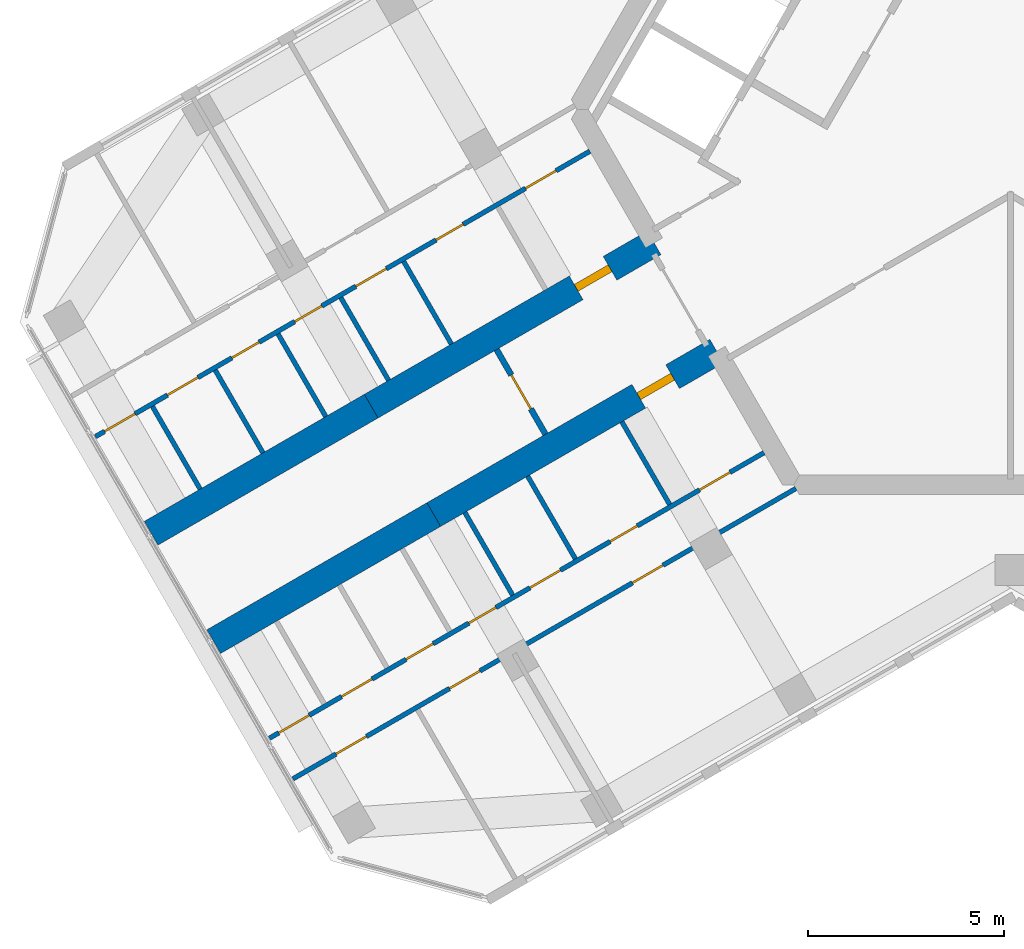
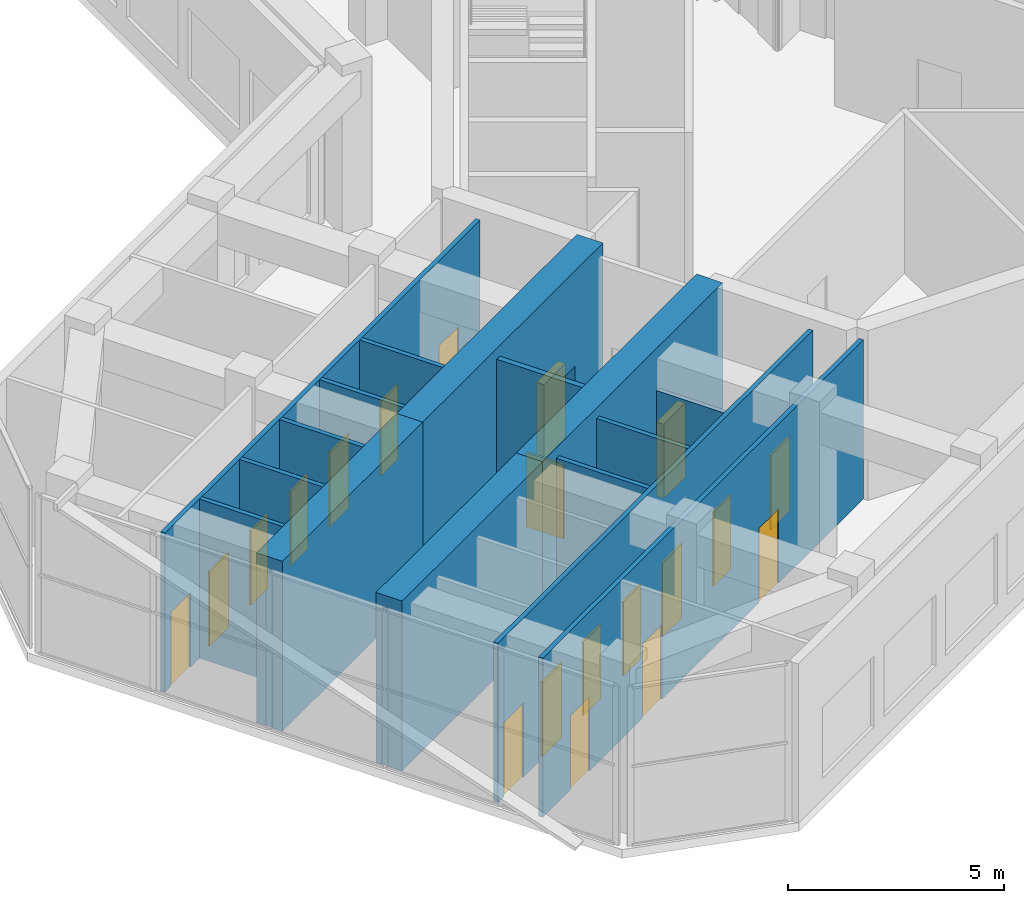
# One storey, part 7 of 14: 20 doors, 16 walls, 20 openings.
"""IFC4 building model written with IfcOpenShell, lengths in metres."""

from ifc_helpers import new_model, si_unit, direction, frame, frame_2d, origin, place, context, subcontext, project, spatial, rectangle, extrude, material, layer, layer_set, type_object, element, fill, save


model = new_model("IFC4")

# Units and contexts
model_context = context("Model", 3, precision=1e-05, world=origin(), true_north=direction((0.0, 1.0)))
body_context = subcontext(model_context, "Body", "Model", "MODEL_VIEW")
ifc_project = project(units=[si_unit("LENGTHUNIT", "METRE"), si_unit("AREAUNIT", "SQUARE_METRE"), si_unit("VOLUMEUNIT", "CUBIC_METRE"), si_unit("PLANEANGLEUNIT", "RADIAN"), si_unit("MASSUNIT", "GRAM", prefix="KILO")], contexts=[model_context])

# Site, building, storey
site_placement = place(None, origin())
site = spatial("IfcSite", under=ifc_project, at=site_placement, CompositionType="ELEMENT")
building_placement = place(site_placement, origin())
building = spatial("IfcBuilding", under=site, at=building_placement, Name="Kosmar Iwan School Tower", CompositionType="ELEMENT")
storey_placement = place(building_placement, frame((0.0, 0.0, 296.199951171875)))
storey = spatial("IfcBuildingStorey", under=building, at=storey_placement, Name="L75", CompositionType="ELEMENT", Elevation=296.199951171875)

# Wall, opening, door
ifc_material_1 = material(Name="Concrete C50/60", Category="concrete")
ifc_layer_1 = layer(ifc_material_1, 0.699951171875)
ifc_layer_set_1 = layer_set([ifc_layer_1], Name="Corridor buttress wall 700")
wall_type_1 = type_object("IfcWallType", Name="Corridor buttress wall 700", PredefinedType="SHEAR", material=ifc_layer_set_1)
wall_1_placement = place(storey_placement, frame((-7.513916015625, -6.185546875, 0.0), z_axis=(0.0, 0.0, 1.0), x_axis=(-0.866019549707, -0.500010139422, 0.0)))
wall_1 = element("IfcWall", 1, at=wall_1_placement, inside=storey, type_object=wall_type_1, Name="Corridor wall BL", PredefinedType="SHEAR", context=body_context, shape_type="SweptSolid", body=[
    extrude(rectangle(XDim=8.349853515625, YDim=0.699951171875, at=frame_2d((4.1748046875, 0.0))), origin(), (0.0, 0.0, 1.0), 4.800048828125),
])
opening_1_placement = place(wall_1_placement, frame((1.300048828125, 0.0, 0.0)))
opening_1 = element("IfcOpeningElement", 2, at=opening_1_placement, cuts=wall_1, Name="Opening D1", PredefinedType="OPENING", context=body_context, shape_type="SweptSolid", body=[
    extrude(rectangle(XDim=1.0, YDim=2.10009765625, at=frame_2d((0.5, 1.050048828125))), frame((0.0, 0.362060546875, 0.0), z_axis=(0.0, -1.0, 0.0), x_axis=(1.0, 0.0, 0.0)), (0.0, 0.0, 1.0), 0.723876953125),
])
ifc_material_2 = material(Name="Timber fire door in steel frame", Category="steel")
door_type_1 = type_object("IfcDoorType", Name="Flat entrance door 1000x2100", OperationType="SINGLE_SWING_LEFT", PredefinedType="DOOR", material=ifc_material_2)
door_1_placement = place(opening_1_placement, origin())
door_1 = element("IfcDoor", 3, at=door_1_placement, inside=storey, type_object=door_type_1, Name="Flat L75-BL1 entrance door", OperationType="SINGLE_SWING_RIGHT", OverallHeight=2.10009765625, OverallWidth=1.0, PredefinedType="DOOR", context=body_context, shape_type="SweptSolid", body=[
    extrude(rectangle(XDim=1.0, YDim=2.10009765625, at=frame_2d((0.5, 1.050048828125))), frame((0.0, 0.10009765625, 0.0), z_axis=(0.0, -1.0, 0.0), x_axis=(1.0, 0.0, 0.0)), (0.0, 0.0, 1.0), 0.199951171875),
])
fill(opening_1, door_1)

# Wall
wall_2_placement = place(storey_placement, frame((-14.7451171875, -10.360595703125, 0.0), z_axis=(0.0, 0.0, 1.0), x_axis=(-0.866027848477, -0.499995765644, 0.0)))
element("IfcWall", 4, at=wall_2_placement, inside=storey, type_object=wall_type_1, Name="Corridor wall BL bay 2", PredefinedType="SHEAR", context=body_context, shape_type="SweptSolid", body=[
    extrude(rectangle(XDim=6.4951171875, YDim=0.699951171875, at=frame_2d((3.24755859375, 0.0))), origin(), (0.0, 0.0, 1.0), 4.800048828125),
])

# Wall, opening, door
wall_3_placement = place(storey_placement, frame((-9.11376953125, -3.414306640625, 0.0), z_axis=(0.0, 0.0, 1.0), x_axis=(-0.866026859388, -0.499997478812, 0.0)))
wall_3 = element("IfcWall", 5, at=wall_3_placement, inside=storey, type_object=wall_type_1, Name="Corridor wall BR", PredefinedType="SHEAR", context=body_context, shape_type="SweptSolid", body=[
    extrude(rectangle(XDim=8.35009765625, YDim=0.699951171875, at=frame_2d((4.175048828125, 0.0))), origin(), (0.0, 0.0, 1.0), 4.800048828125),
])
opening_2_placement = place(wall_3_placement, frame((1.300048828125, 0.0, 0.0)))
opening_2 = element("IfcOpeningElement", 6, at=opening_2_placement, cuts=wall_3, Name="Opening D1", PredefinedType="OPENING", context=body_context, shape_type="SweptSolid", body=[
    extrude(rectangle(XDim=1.0, YDim=2.10009765625, at=frame_2d((0.5, 1.050048828125))), frame((0.0, 0.362060546875, 0.0), z_axis=(0.0, -1.0, 0.0), x_axis=(1.0, 0.0, 0.0)), (0.0, 0.0, 1.0), 0.723876953125),
])
door_2_placement = place(opening_2_placement, origin())
door_2 = element("IfcDoor", 7, at=door_2_placement, inside=storey, type_object=door_type_1, Name="Flat L75-BR1 entrance door", OperationType="SINGLE_SWING_LEFT", OverallHeight=2.10009765625, OverallWidth=1.0, PredefinedType="DOOR", context=body_context, shape_type="SweptSolid", body=[
    extrude(rectangle(XDim=1.0, YDim=2.10009765625, at=frame_2d((0.5, 1.050048828125))), frame((0.0, 0.10009765625, 0.0), z_axis=(0.0, -1.0, 0.0), x_axis=(1.0, 0.0, 0.0)), (0.0, 0.0, 1.0), 0.199951171875),
])
fill(opening_2, door_2)

# Wall
wall_4_placement = place(storey_placement, frame((-16.34521484375, -7.58935546875, 0.0), z_axis=(0.0, 0.0, 1.0), x_axis=(-0.866018451174, -0.500012042081, 0.0)))
element("IfcWall", 8, at=wall_4_placement, inside=storey, type_object=wall_type_1, Name="Corridor wall BR bay 2", PredefinedType="SHEAR", context=body_context, shape_type="SweptSolid", body=[
    extrude(rectangle(XDim=6.494873046875, YDim=0.699951171875, at=frame_2d((3.24755859375, 0.0))), origin(), (0.0, 0.0, 1.0), 4.800048828125),
])

# Wall, opening, door
ifc_material_3 = material(Name="Gypsum board on steel studs, fire-rated", Category="steel")
ifc_layer_2 = layer(ifc_material_3, 0.14990234375)
ifc_layer_set_2 = layer_set([ifc_layer_2], Name="Corridor end wall 150")
wall_type_2 = type_object("IfcWallType", Name="Corridor end wall 150", PredefinedType="PARTITIONING", material=ifc_layer_set_2)
wall_5_placement = place(storey_placement, frame((-13.13916015625, -6.142578125, 0.0), z_axis=(0.0, 0.0, 1.0), x_axis=(0.500004234368, -0.866022959057, 0.0)))
wall_5 = element("IfcWall", 9, at=wall_5_placement, inside=storey, type_object=wall_type_2, Name="Partition L75-B-CE", PredefinedType="PARTITIONING", context=body_context, shape_type="SweptSolid", body=[
    extrude(rectangle(XDim=2.5, YDim=0.14990234375, at=frame_2d((1.25, 0.0))), origin(), (0.0, 0.0, 1.0), 4.5),
])
opening_3_placement = place(wall_5_placement, frame((0.75, 0.0, 0.0)))
opening_3 = element("IfcOpeningElement", 10, at=opening_3_placement, cuts=wall_5, Name="Opening D13", PredefinedType="OPENING", context=body_context, shape_type="SweptSolid", body=[
    extrude(rectangle(XDim=1.0, YDim=2.10009765625, at=frame_2d((0.5, 1.050048828125))), frame((0.0, 0.0869140625, 0.0), z_axis=(0.0, -1.0, 0.0), x_axis=(1.0, 0.0, 0.0)), (0.0, 0.0, 1.0), 0.173828125),
])
ifc_material_4 = material(Name="Timber fire door with vision panel", Category="wood")
door_type_2 = type_object("IfcDoorType", Name="Corridor end door 1000x2100", OperationType="SINGLE_SWING_LEFT", PredefinedType="DOOR", material=ifc_material_4)
door_3_placement = place(opening_3_placement, origin())
door_3 = element("IfcDoor", 11, at=door_3_placement, inside=storey, type_object=door_type_2, Name="Prayer room door L75-B", OperationType="SINGLE_SWING_LEFT", OverallHeight=2.10009765625, OverallWidth=1.0, PredefinedType="DOOR", context=body_context, shape_type="SweptSolid", body=[
    extrude(rectangle(XDim=1.0, YDim=2.10009765625, at=frame_2d((0.5, 1.050048828125))), frame((0.0, 0.02490234375, 0.0), z_axis=(0.0, -1.0, 0.0), x_axis=(1.0, 0.0, 0.0)), (0.0, 0.0, 1.0), 0.050048828125),
])
fill(opening_3, door_3)

# Wall, openings, doors
ifc_material_5 = material(Name="Gypsum board on steel studs", Category="steel")
ifc_layer_3 = layer(ifc_material_5, 0.1201171875)
ifc_layer_set_3 = layer_set([ifc_layer_3], Name="Dwelling partition 120")
wall_type_3 = type_object("IfcWallType", Name="Dwelling partition 120", PredefinedType="PARTITIONING", material=ifc_layer_set_3)
wall_6_placement = place(storey_placement, frame((-6.305419921875, -8.77880859375, 0.0), z_axis=(0.0, 0.0, 1.0), x_axis=(-0.866022348096, -0.50000529257, 0.0)))
wall_6 = element("IfcWall", 12, at=wall_6_placement, inside=storey, type_object=wall_type_3, Name="Partition L75-BL1-W1", PredefinedType="PARTITIONING", context=body_context, shape_type="SweptSolid", body=[
    extrude(rectangle(XDim=14.594970703125, YDim=0.1201171875, at=frame_2d((7.29736328125, 0.0))), origin(), (0.0, 0.0, 1.0), 4.5),
])
opening_4_placement = place(wall_6_placement, frame((1.0, 0.0, 0.0)))
opening_4 = element("IfcOpeningElement", 13, at=opening_4_placement, cuts=wall_6, Name="Opening D2", PredefinedType="OPENING", context=body_context, shape_type="SweptSolid", body=[
    extrude(rectangle(XDim=0.89990234375, YDim=2.10009765625, at=frame_2d((0.449951171875, 1.050048828125))), frame((0.0, 0.072021484375, 0.0), z_axis=(0.0, -1.0, 0.0), x_axis=(1.0, 0.0, 0.0)), (0.0, 0.0, 1.0), 0.14404296875),
])
opening_5_placement = place(wall_6_placement, frame((3.740478515625, 0.0, 0.0)))
opening_5 = element("IfcOpeningElement", 14, at=opening_5_placement, cuts=wall_6, Name="Opening D3", PredefinedType="OPENING", context=body_context, shape_type="SweptSolid", body=[
    extrude(rectangle(XDim=0.800048828125, YDim=2.10009765625, at=frame_2d((0.39990234375, 1.050048828125))), frame((0.0, 0.072021484375, 0.0), z_axis=(0.0, -1.0, 0.0), x_axis=(1.0, 0.0, 0.0)), (0.0, 0.0, 1.0), 0.14404296875),
])
opening_6_placement = place(wall_6_placement, frame((6.0078125, 0.0, 0.0)))
opening_6 = element("IfcOpeningElement", 15, at=opening_6_placement, cuts=wall_6, Name="Opening D2", PredefinedType="OPENING", context=body_context, shape_type="SweptSolid", body=[
    extrude(rectangle(XDim=0.89990234375, YDim=2.10009765625, at=frame_2d((0.449951171875, 1.050048828125))), frame((0.0, 0.072021484375, 0.0), z_axis=(0.0, -1.0, 0.0), x_axis=(1.0, 0.0, 0.0)), (0.0, 0.0, 1.0), 0.14404296875),
])
opening_7_placement = place(wall_6_placement, frame((7.91162109375, 0.0, 0.0)))
opening_7 = element("IfcOpeningElement", 16, at=opening_7_placement, cuts=wall_6, Name="Opening D3", PredefinedType="OPENING", context=body_context, shape_type="SweptSolid", body=[
    extrude(rectangle(XDim=0.800048828125, YDim=2.10009765625, at=frame_2d((0.39990234375, 1.050048828125))), frame((0.0, 0.072021484375, 0.0), z_axis=(0.0, -1.0, 0.0), x_axis=(1.0, 0.0, 0.0)), (0.0, 0.0, 1.0), 0.14404296875),
])
opening_8_placement = place(wall_6_placement, frame((9.765380859375, 0.0, 0.0)))
opening_8 = element("IfcOpeningElement", 17, at=opening_8_placement, cuts=wall_6, Name="Opening D3", PredefinedType="OPENING", context=body_context, shape_type="SweptSolid", body=[
    extrude(rectangle(XDim=0.800048828125, YDim=2.10009765625, at=frame_2d((0.39990234375, 1.050048828125))), frame((0.0, 0.072021484375, 0.0), z_axis=(0.0, -1.0, 0.0), x_axis=(1.0, 0.0, 0.0)), (0.0, 0.0, 1.0), 0.14404296875),
])
opening_9_placement = place(wall_6_placement, frame((11.5693359375, 0.0, 0.0)))
opening_9 = element("IfcOpeningElement", 18, at=opening_9_placement, cuts=wall_6, Name="Opening D2", PredefinedType="OPENING", context=body_context, shape_type="SweptSolid", body=[
    extrude(rectangle(XDim=0.89990234375, YDim=2.10009765625, at=frame_2d((0.449951171875, 1.050048828125))), frame((0.0, 0.072021484375, 0.0), z_axis=(0.0, -1.0, 0.0), x_axis=(1.0, 0.0, 0.0)), (0.0, 0.0, 1.0), 0.14404296875),
])
opening_10_placement = place(wall_6_placement, frame((13.423095703125, 0.0, 0.0)))
opening_10 = element("IfcOpeningElement", 19, at=opening_10_placement, cuts=wall_6, Name="Opening D2", PredefinedType="OPENING", context=body_context, shape_type="SweptSolid", body=[
    extrude(rectangle(XDim=0.89990234375, YDim=2.10009765625, at=frame_2d((0.449951171875, 1.050048828125))), frame((0.0, 0.072021484375, 0.0), z_axis=(0.0, -1.0, 0.0), x_axis=(1.0, 0.0, 0.0)), (0.0, 0.0, 1.0), 0.14404296875),
])
ifc_material_6 = material(Name="Timber door in timber frame", Category="wood")
door_type_3 = type_object("IfcDoorType", Name="Internal door 900x2100", OperationType="SINGLE_SWING_LEFT", PredefinedType="DOOR", material=ifc_material_6)
door_4_placement = place(opening_4_placement, origin())
door_4 = element("IfcDoor", 20, at=door_4_placement, inside=storey, type_object=door_type_3, Name="Entrance hall door L75-BL1-S1", OperationType="SINGLE_SWING_LEFT", OverallHeight=2.10009765625, OverallWidth=0.89990234375, PredefinedType="DOOR", context=body_context, shape_type="SweptSolid", body=[
    extrude(rectangle(XDim=0.89990234375, YDim=2.10009765625, at=frame_2d((0.449951171875, 1.050048828125))), frame((0.0, 0.02490234375, 0.0), z_axis=(0.0, -1.0, 0.0), x_axis=(1.0, 0.0, 0.0)), (0.0, 0.0, 1.0), 0.050048828125),
])
fill(opening_4, door_4)
door_5_placement = place(opening_6_placement, origin())
door_5 = element("IfcDoor", 21, at=door_5_placement, inside=storey, type_object=door_type_3, Name="Pantry door L75-BL1-S3", OperationType="SINGLE_SWING_LEFT", OverallHeight=2.10009765625, OverallWidth=0.89990234375, PredefinedType="DOOR", context=body_context, shape_type="SweptSolid", body=[
    extrude(rectangle(XDim=0.89990234375, YDim=2.10009765625, at=frame_2d((0.449951171875, 1.050048828125))), frame((0.0, 0.02490234375, 0.0), z_axis=(0.0, -1.0, 0.0), x_axis=(1.0, 0.0, 0.0)), (0.0, 0.0, 1.0), 0.050048828125),
])
fill(opening_6, door_5)
door_6_placement = place(opening_9_placement, origin())
door_6 = element("IfcDoor", 22, at=door_6_placement, inside=storey, type_object=door_type_3, Name="Utility room door L75-BL1-S6", OperationType="SINGLE_SWING_RIGHT", OverallHeight=2.10009765625, OverallWidth=0.89990234375, PredefinedType="DOOR", context=body_context, shape_type="SweptSolid", body=[
    extrude(rectangle(XDim=0.89990234375, YDim=2.10009765625, at=frame_2d((0.449951171875, 1.050048828125))), frame((0.0, 0.02490234375, 0.0), z_axis=(0.0, -1.0, 0.0), x_axis=(1.0, 0.0, 0.0)), (0.0, 0.0, 1.0), 0.050048828125),
])
fill(opening_9, door_6)
door_7_placement = place(opening_10_placement, origin())
door_7 = element("IfcDoor", 23, at=door_7_placement, inside=storey, type_object=door_type_3, Name="Dressing room door L75-BL1-S7", OperationType="SINGLE_SWING_RIGHT", OverallHeight=2.10009765625, OverallWidth=0.89990234375, PredefinedType="DOOR", context=body_context, shape_type="SweptSolid", body=[
    extrude(rectangle(XDim=0.89990234375, YDim=2.10009765625, at=frame_2d((0.449951171875, 1.050048828125))), frame((0.0, 0.02490234375, 0.0), z_axis=(0.0, -1.0, 0.0), x_axis=(1.0, 0.0, 0.0)), (0.0, 0.0, 1.0), 0.050048828125),
])
fill(opening_10, door_7)
ifc_material_7 = material(Name="Timber door in timber frame", Category="wood")
door_type_4 = type_object("IfcDoorType", Name="Sanitary room door 800x2100", OperationType="SINGLE_SWING_LEFT", PredefinedType="DOOR", material=ifc_material_7)
door_8_placement = place(opening_5_placement, origin())
door_8 = element("IfcDoor", 24, at=door_8_placement, inside=storey, type_object=door_type_4, Name="Bathroom door L75-BL1-S2", OperationType="SINGLE_SWING_LEFT", OverallHeight=2.10009765625, OverallWidth=0.800048828125, PredefinedType="DOOR", context=body_context, shape_type="SweptSolid", body=[
    extrude(rectangle(XDim=0.800048828125, YDim=2.10009765625, at=frame_2d((0.39990234375, 1.050048828125))), frame((0.0, 0.02490234375, 0.0), z_axis=(0.0, -1.0, 0.0), x_axis=(1.0, 0.0, 0.0)), (0.0, 0.0, 1.0), 0.050048828125),
])
fill(opening_5, door_8)
door_9_placement = place(opening_7_placement, origin())
door_9 = element("IfcDoor", 25, at=door_9_placement, inside=storey, type_object=door_type_4, Name="WC door L75-BL1-S4", OperationType="SINGLE_SWING_RIGHT", OverallHeight=2.10009765625, OverallWidth=0.800048828125, PredefinedType="DOOR", context=body_context, shape_type="SweptSolid", body=[
    extrude(rectangle(XDim=0.800048828125, YDim=2.10009765625, at=frame_2d((0.39990234375, 1.050048828125))), frame((0.0, 0.02490234375, 0.0), z_axis=(0.0, -1.0, 0.0), x_axis=(1.0, 0.0, 0.0)), (0.0, 0.0, 1.0), 0.050048828125),
])
fill(opening_7, door_9)
door_10_placement = place(opening_8_placement, origin())
door_10 = element("IfcDoor", 26, at=door_10_placement, inside=storey, type_object=door_type_4, Name="Store door L75-BL1-S5", OperationType="SINGLE_SWING_RIGHT", OverallHeight=2.10009765625, OverallWidth=0.800048828125, PredefinedType="DOOR", context=body_context, shape_type="SweptSolid", body=[
    extrude(rectangle(XDim=0.800048828125, YDim=2.10009765625, at=frame_2d((0.39990234375, 1.050048828125))), frame((0.0, 0.02490234375, 0.0), z_axis=(0.0, -1.0, 0.0), x_axis=(1.0, 0.0, 0.0)), (0.0, 0.0, 1.0), 0.050048828125),
])
fill(opening_8, door_10)

wall_7_placement = place(storey_placement, frame((-5.48876953125, -9.693115234375, 0.0), z_axis=(0.0, 0.0, 1.0), x_axis=(-0.866030301974, -0.499991515992, 0.0)))
wall_7 = element("IfcWall", 27, at=wall_7_placement, inside=storey, type_object=wall_type_3, Name="Partition L75-BL1-W2", PredefinedType="PARTITIONING", context=body_context, shape_type="SweptSolid", body=[
    extrude(rectangle(XDim=14.844970703125, YDim=0.1201171875, at=frame_2d((7.42236328125, 0.0))), origin(), (0.0, 0.0, 1.0), 4.5),
])
opening_11_placement = place(wall_7_placement, frame((3.925048828125, 0.0, 0.0)))
opening_11 = element("IfcOpeningElement", 28, at=opening_11_placement, cuts=wall_7, Name="Opening D2", PredefinedType="OPENING", context=body_context, shape_type="SweptSolid", body=[
    extrude(rectangle(XDim=0.89990234375, YDim=2.10009765625, at=frame_2d((0.449951171875, 1.050048828125))), frame((0.0, 0.072021484375, 0.0), z_axis=(0.0, -1.0, 0.0), x_axis=(1.0, 0.0, 0.0)), (0.0, 0.0, 1.0), 0.14404296875),
])
opening_12_placement = place(wall_7_placement, frame((9.324951171875, 0.0, 0.0)))
opening_12 = element("IfcOpeningElement", 29, at=opening_12_placement, cuts=wall_7, Name="Opening D2", PredefinedType="OPENING", context=body_context, shape_type="SweptSolid", body=[
    extrude(rectangle(XDim=0.89990234375, YDim=2.10009765625, at=frame_2d((0.449951171875, 1.050048828125))), frame((0.0, 0.072021484375, 0.0), z_axis=(0.0, -1.0, 0.0), x_axis=(1.0, 0.0, 0.0)), (0.0, 0.0, 1.0), 0.14404296875),
])
opening_13_placement = place(wall_7_placement, frame((12.675048828125, 0.0, 0.0)))
opening_13 = element("IfcOpeningElement", 30, at=opening_13_placement, cuts=wall_7, Name="Opening D2", PredefinedType="OPENING", context=body_context, shape_type="SweptSolid", body=[
    extrude(rectangle(XDim=0.89990234375, YDim=2.10009765625, at=frame_2d((0.449951171875, 1.050048828125))), frame((0.0, 0.072021484375, 0.0), z_axis=(0.0, -1.0, 0.0), x_axis=(1.0, 0.0, 0.0)), (0.0, 0.0, 1.0), 0.14404296875),
])
door_11_placement = place(opening_11_placement, origin())
door_11 = element("IfcDoor", 31, at=door_11_placement, inside=storey, type_object=door_type_3, Name="Living room door L75-BL1-F1", OperationType="SINGLE_SWING_LEFT", OverallHeight=2.10009765625, OverallWidth=0.89990234375, PredefinedType="DOOR", context=body_context, shape_type="SweptSolid", body=[
    extrude(rectangle(XDim=0.89990234375, YDim=2.10009765625, at=frame_2d((0.449951171875, 1.050048828125))), frame((0.0, 0.02490234375, 0.0), z_axis=(0.0, -1.0, 0.0), x_axis=(1.0, 0.0, 0.0)), (0.0, 0.0, 1.0), 0.050048828125),
])
fill(opening_11, door_11)
door_12_placement = place(opening_12_placement, origin())
door_12 = element("IfcDoor", 32, at=door_12_placement, inside=storey, type_object=door_type_3, Name="Dining room door L75-BL1-F2", OperationType="SINGLE_SWING_RIGHT", OverallHeight=2.10009765625, OverallWidth=0.89990234375, PredefinedType="DOOR", context=body_context, shape_type="SweptSolid", body=[
    extrude(rectangle(XDim=0.89990234375, YDim=2.10009765625, at=frame_2d((0.449951171875, 1.050048828125))), frame((0.0, 0.02490234375, 0.0), z_axis=(0.0, -1.0, 0.0), x_axis=(1.0, 0.0, 0.0)), (0.0, 0.0, 1.0), 0.050048828125),
])
fill(opening_12, door_12)
door_13_placement = place(opening_13_placement, origin())
door_13 = element("IfcDoor", 33, at=door_13_placement, inside=storey, type_object=door_type_3, Name="Bedroom 1 door L75-BL1-F3", OperationType="SINGLE_SWING_RIGHT", OverallHeight=2.10009765625, OverallWidth=0.89990234375, PredefinedType="DOOR", context=body_context, shape_type="SweptSolid", body=[
    extrude(rectangle(XDim=0.89990234375, YDim=2.10009765625, at=frame_2d((0.449951171875, 1.050048828125))), frame((0.0, 0.02490234375, 0.0), z_axis=(0.0, -1.0, 0.0), x_axis=(1.0, 0.0, 0.0)), (0.0, 0.0, 1.0), 0.050048828125),
])
fill(opening_13, door_13)

# Walls
wall_8_placement = place(storey_placement, frame((-9.93701171875, -7.98876953125, 0.0), z_axis=(0.0, 0.0, 1.0), x_axis=(0.500077547548, -0.865980627057, 0.0)))
element("IfcWall", 34, at=wall_8_placement, inside=storey, type_object=wall_type_3, Name="Partition L75-BL1-Y1", PredefinedType="PARTITIONING", context=body_context, shape_type="SweptSolid", body=[
    extrude(rectangle(XDim=2.43994140625, YDim=0.1201171875, at=frame_2d((1.219970703125, 0.0))), origin(), (0.0, 0.0, 1.0), 3.60009765625),
])
for number, where, z_axis, x_axis, name in (
    (35, (-12.34521484375, -9.379150390625, 0.0), (0.0, 0.0, 1.0), (0.500002508028, -0.866023955769, 0.0), "Partition L75-BL1-Y2"),
    (36, (-13.95068359375, -10.30615234375, 0.0), (0.0, 0.0, 1.0), (0.500002508028, -0.866023955769, 0.0), "Partition L75-BL1-Y3"),
):
    element("IfcWall", number, at=place(storey_placement, frame(where, z_axis=z_axis, x_axis=x_axis)), inside=storey, type_object=wall_type_3, Name=name, PredefinedType="PARTITIONING", context=body_context, shape_type="SweptSolid", body=[
        extrude(rectangle(XDim=2.43994140625, YDim=0.1201171875, at=frame_2d((1.219970703125, 0.0))), origin(), (0.0, 0.0, 1.0), 4.5),
    ])

# Wall, openings, doors
wall_9_placement = place(storey_placement, frame((-10.75537109375, -1.0712890625, 0.0), z_axis=(0.0, 0.0, 1.0), x_axis=(-0.866029591389, -0.499992746786, 0.0)))
wall_9 = element("IfcWall", 37, at=wall_9_placement, inside=storey, type_object=wall_type_3, Name="Partition L75-BR1-W1", PredefinedType="PARTITIONING", context=body_context, shape_type="SweptSolid", body=[
    extrude(rectangle(XDim=14.594970703125, YDim=0.1201171875, at=frame_2d((7.29736328125, 0.0))), origin(), (0.0, 0.0, 1.0), 4.5),
])
opening_14_placement = place(wall_9_placement, frame((1.0, 0.0, 0.0)))
opening_14 = element("IfcOpeningElement", 38, at=opening_14_placement, cuts=wall_9, Name="Opening D2", PredefinedType="OPENING", context=body_context, shape_type="SweptSolid", body=[
    extrude(rectangle(XDim=0.89990234375, YDim=2.10009765625, at=frame_2d((0.449951171875, 1.050048828125))), frame((0.0, 0.072021484375, 0.0), z_axis=(0.0, -1.0, 0.0), x_axis=(1.0, 0.0, 0.0)), (0.0, 0.0, 1.0), 0.14404296875),
])
opening_15_placement = place(wall_9_placement, frame((3.740478515625, 0.0, 0.0)))
opening_15 = element("IfcOpeningElement", 39, at=opening_15_placement, cuts=wall_9, Name="Opening D3", PredefinedType="OPENING", context=body_context, shape_type="SweptSolid", body=[
    extrude(rectangle(XDim=0.800048828125, YDim=2.10009765625, at=frame_2d((0.39990234375, 1.050048828125))), frame((0.0, 0.072021484375, 0.0), z_axis=(0.0, -1.0, 0.0), x_axis=(1.0, 0.0, 0.0)), (0.0, 0.0, 1.0), 0.14404296875),
])
opening_16_placement = place(wall_9_placement, frame((6.0078125, 0.0, 0.0)))
opening_16 = element("IfcOpeningElement", 40, at=opening_16_placement, cuts=wall_9, Name="Opening D2", PredefinedType="OPENING", context=body_context, shape_type="SweptSolid", body=[
    extrude(rectangle(XDim=0.89990234375, YDim=2.10009765625, at=frame_2d((0.449951171875, 1.050048828125))), frame((0.0, 0.072021484375, 0.0), z_axis=(0.0, -1.0, 0.0), x_axis=(1.0, 0.0, 0.0)), (0.0, 0.0, 1.0), 0.14404296875),
])
opening_17_placement = place(wall_9_placement, frame((7.91162109375, 0.0, 0.0)))
opening_17 = element("IfcOpeningElement", 41, at=opening_17_placement, cuts=wall_9, Name="Opening D3", PredefinedType="OPENING", context=body_context, shape_type="SweptSolid", body=[
    extrude(rectangle(XDim=0.800048828125, YDim=2.10009765625, at=frame_2d((0.39990234375, 1.050048828125))), frame((0.0, 0.072021484375, 0.0), z_axis=(0.0, -1.0, 0.0), x_axis=(1.0, 0.0, 0.0)), (0.0, 0.0, 1.0), 0.14404296875),
])
opening_18_placement = place(wall_9_placement, frame((9.765380859375, 0.0, 0.0)))
opening_18 = element("IfcOpeningElement", 42, at=opening_18_placement, cuts=wall_9, Name="Opening D3", PredefinedType="OPENING", context=body_context, shape_type="SweptSolid", body=[
    extrude(rectangle(XDim=0.800048828125, YDim=2.10009765625, at=frame_2d((0.39990234375, 1.050048828125))), frame((0.0, 0.072021484375, 0.0), z_axis=(0.0, -1.0, 0.0), x_axis=(1.0, 0.0, 0.0)), (0.0, 0.0, 1.0), 0.14404296875),
])
opening_19_placement = place(wall_9_placement, frame((11.5693359375, 0.0, 0.0)))
opening_19 = element("IfcOpeningElement", 43, at=opening_19_placement, cuts=wall_9, Name="Opening D2", PredefinedType="OPENING", context=body_context, shape_type="SweptSolid", body=[
    extrude(rectangle(XDim=0.89990234375, YDim=2.10009765625, at=frame_2d((0.449951171875, 1.050048828125))), frame((0.0, 0.072021484375, 0.0), z_axis=(0.0, -1.0, 0.0), x_axis=(1.0, 0.0, 0.0)), (0.0, 0.0, 1.0), 0.14404296875),
])
opening_20_placement = place(wall_9_placement, frame((13.423095703125, 0.0, 0.0)))
opening_20 = element("IfcOpeningElement", 44, at=opening_20_placement, cuts=wall_9, Name="Opening D2", PredefinedType="OPENING", context=body_context, shape_type="SweptSolid", body=[
    extrude(rectangle(XDim=0.89990234375, YDim=2.10009765625, at=frame_2d((0.449951171875, 1.050048828125))), frame((0.0, 0.072021484375, 0.0), z_axis=(0.0, -1.0, 0.0), x_axis=(1.0, 0.0, 0.0)), (0.0, 0.0, 1.0), 0.14404296875),
])
door_14_placement = place(opening_14_placement, origin())
door_14 = element("IfcDoor", 45, at=door_14_placement, inside=storey, type_object=door_type_3, Name="Entrance hall door L75-BR1-S1", OperationType="SINGLE_SWING_LEFT", OverallHeight=2.10009765625, OverallWidth=0.89990234375, PredefinedType="DOOR", context=body_context, shape_type="SweptSolid", body=[
    extrude(rectangle(XDim=0.89990234375, YDim=2.10009765625, at=frame_2d((0.449951171875, 1.050048828125))), frame((0.0, 0.02490234375, 0.0), z_axis=(0.0, -1.0, 0.0), x_axis=(1.0, 0.0, 0.0)), (0.0, 0.0, 1.0), 0.050048828125),
])
fill(opening_14, door_14)
door_15_placement = place(opening_16_placement, origin())
door_15 = element("IfcDoor", 46, at=door_15_placement, inside=storey, type_object=door_type_3, Name="Pantry door L75-BR1-S3", OperationType="SINGLE_SWING_LEFT", OverallHeight=2.10009765625, OverallWidth=0.89990234375, PredefinedType="DOOR", context=body_context, shape_type="SweptSolid", body=[
    extrude(rectangle(XDim=0.89990234375, YDim=2.10009765625, at=frame_2d((0.449951171875, 1.050048828125))), frame((0.0, 0.02490234375, 0.0), z_axis=(0.0, -1.0, 0.0), x_axis=(1.0, 0.0, 0.0)), (0.0, 0.0, 1.0), 0.050048828125),
])
fill(opening_16, door_15)
door_16_placement = place(opening_19_placement, origin())
door_16 = element("IfcDoor", 47, at=door_16_placement, inside=storey, type_object=door_type_3, Name="Utility room door L75-BR1-S6", OperationType="SINGLE_SWING_RIGHT", OverallHeight=2.10009765625, OverallWidth=0.89990234375, PredefinedType="DOOR", context=body_context, shape_type="SweptSolid", body=[
    extrude(rectangle(XDim=0.89990234375, YDim=2.10009765625, at=frame_2d((0.449951171875, 1.050048828125))), frame((0.0, 0.02490234375, 0.0), z_axis=(0.0, -1.0, 0.0), x_axis=(1.0, 0.0, 0.0)), (0.0, 0.0, 1.0), 0.050048828125),
])
fill(opening_19, door_16)
door_17_placement = place(opening_20_placement, origin())
door_17 = element("IfcDoor", 48, at=door_17_placement, inside=storey, type_object=door_type_3, Name="Dressing room door L75-BR1-S7", OperationType="SINGLE_SWING_RIGHT", OverallHeight=2.10009765625, OverallWidth=0.89990234375, PredefinedType="DOOR", context=body_context, shape_type="SweptSolid", body=[
    extrude(rectangle(XDim=0.89990234375, YDim=2.10009765625, at=frame_2d((0.449951171875, 1.050048828125))), frame((0.0, 0.02490234375, 0.0), z_axis=(0.0, -1.0, 0.0), x_axis=(1.0, 0.0, 0.0)), (0.0, 0.0, 1.0), 0.050048828125),
])
fill(opening_20, door_17)
door_18_placement = place(opening_15_placement, origin())
door_18 = element("IfcDoor", 49, at=door_18_placement, inside=storey, type_object=door_type_4, Name="Bathroom door L75-BR1-S2", OperationType="SINGLE_SWING_RIGHT", OverallHeight=2.10009765625, OverallWidth=0.800048828125, PredefinedType="DOOR", context=body_context, shape_type="SweptSolid", body=[
    extrude(rectangle(XDim=0.800048828125, YDim=2.10009765625, at=frame_2d((0.39990234375, 1.050048828125))), frame((0.0, 0.02490234375, 0.0), z_axis=(0.0, -1.0, 0.0), x_axis=(1.0, 0.0, 0.0)), (0.0, 0.0, 1.0), 0.050048828125),
])
fill(opening_15, door_18)
door_19_placement = place(opening_17_placement, origin())
door_19 = element("IfcDoor", 50, at=door_19_placement, inside=storey, type_object=door_type_4, Name="WC door L75-BR1-S4", OperationType="SINGLE_SWING_RIGHT", OverallHeight=2.10009765625, OverallWidth=0.800048828125, PredefinedType="DOOR", context=body_context, shape_type="SweptSolid", body=[
    extrude(rectangle(XDim=0.800048828125, YDim=2.10009765625, at=frame_2d((0.39990234375, 1.050048828125))), frame((0.0, 0.02490234375, 0.0), z_axis=(0.0, -1.0, 0.0), x_axis=(1.0, 0.0, 0.0)), (0.0, 0.0, 1.0), 0.050048828125),
])
fill(opening_17, door_19)
door_20_placement = place(opening_18_placement, origin())
door_20 = element("IfcDoor", 51, at=door_20_placement, inside=storey, type_object=door_type_4, Name="Store door L75-BR1-S5", OperationType="SINGLE_SWING_LEFT", OverallHeight=2.10009765625, OverallWidth=0.800048828125, PredefinedType="DOOR", context=body_context, shape_type="SweptSolid", body=[
    extrude(rectangle(XDim=0.800048828125, YDim=2.10009765625, at=frame_2d((0.39990234375, 1.050048828125))), frame((0.0, 0.02490234375, 0.0), z_axis=(0.0, -1.0, 0.0), x_axis=(1.0, 0.0, 0.0)), (0.0, 0.0, 1.0), 0.050048828125),
])
fill(opening_18, door_20)

# Walls
wall_10_placement = place(storey_placement, frame((-14.295166015625, -6.001708984375, 0.0), z_axis=(0.0, 0.0, 1.0), x_axis=(-0.499959183527, 0.866048967903, 0.0)))
element("IfcWall", 52, at=wall_10_placement, inside=storey, type_object=wall_type_3, Name="Partition L75-BR1-Y2", PredefinedType="PARTITIONING", context=body_context, shape_type="SweptSolid", body=[
    extrude(rectangle(XDim=2.440185546875, YDim=0.1201171875, at=frame_2d((1.22021484375, 0.0))), origin(), (0.0, 0.0, 1.0), 4.5),
])
for number, where, z_axis, x_axis, name in (
    (53, (-15.900634765625, -6.928466796875, 0.0), (0.0, 0.0, 1.0), (-0.500002508028, 0.866023955769, 0.0), "Partition L75-BR1-Y3"),
    (54, (-17.506103515625, -7.85546875, 0.0), (0.0, 0.0, 1.0), (-0.500002508028, 0.866023955769, 0.0), "Partition L75-BR1-Y4"),
):
    element("IfcWall", number, at=place(storey_placement, frame(where, z_axis=z_axis, x_axis=x_axis)), inside=storey, type_object=wall_type_3, Name=name, PredefinedType="PARTITIONING", context=body_context, shape_type="SweptSolid", body=[
        extrude(rectangle(XDim=2.43994140625, YDim=0.1201171875, at=frame_2d((1.219970703125, 0.0))), origin(), (0.0, 0.0, 1.0), 4.5),
    ])
wall_11_placement = place(storey_placement, frame((-19.111572265625, -8.782470703125, 0.0), z_axis=(0.0, 0.0, 1.0), x_axis=(-0.499959183527, 0.866048967903, 0.0)))
element("IfcWall", 55, at=wall_11_placement, inside=storey, type_object=wall_type_3, Name="Partition L75-BR1-Y5", PredefinedType="PARTITIONING", context=body_context, shape_type="SweptSolid", body=[
    extrude(rectangle(XDim=2.440185546875, YDim=0.1201171875, at=frame_2d((1.22021484375, 0.0))), origin(), (0.0, 0.0, 1.0), 4.5),
])
wall_12_placement = place(storey_placement, frame((-20.717041015625, -9.709228515625, 0.0), z_axis=(0.0, 0.0, 1.0), x_axis=(-0.500002508028, 0.866023955769, 0.0)))
element("IfcWall", 56, at=wall_12_placement, inside=storey, type_object=wall_type_3, Name="Partition L75-BR1-Y6", PredefinedType="PARTITIONING", context=body_context, shape_type="SweptSolid", body=[
    extrude(rectangle(XDim=2.43994140625, YDim=0.1201171875, at=frame_2d((1.219970703125, 0.0))), origin(), (0.0, 0.0, 1.0), 4.5),
])

save(model, "model.ifc")
